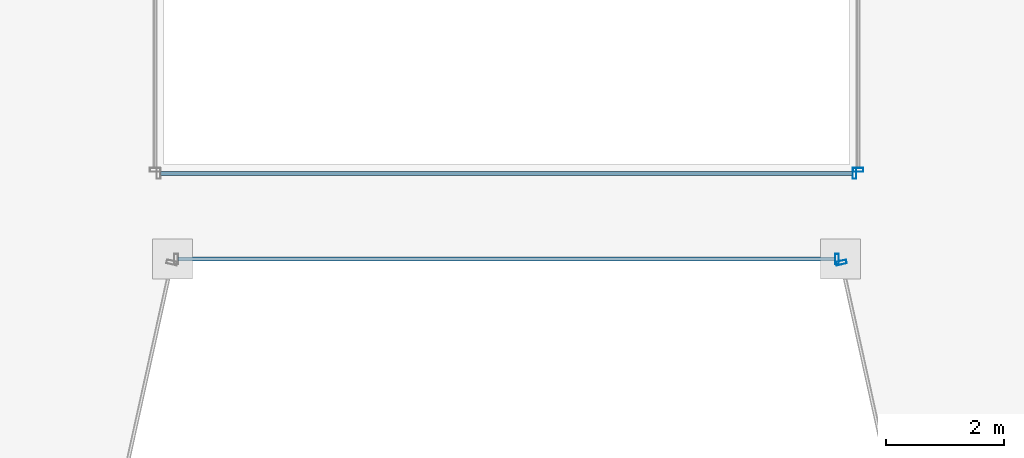
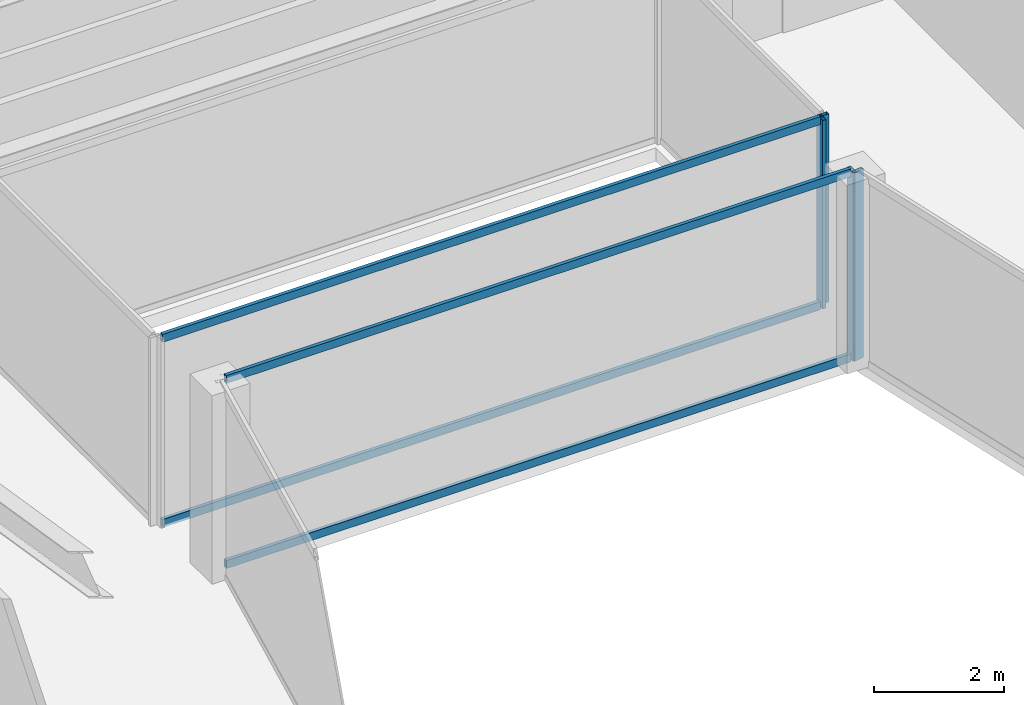
# One storey, part 6 of 32: 8 members, 4 elements without a shape of their own.
"""IFC4 building model written with IfcOpenShell, lengths in metres."""

from ifc_helpers import new_model, si_unit, direction, frame, origin, origin_2d, place, context, subcontext, project, spatial, hollow_rectangle, extrude, material, material_profile, profile_set, type_object, element, aggregate, save


model = new_model("IFC4")

# Units and contexts
model_context = context("Model", 3, precision=1e-05, world=origin(), true_north=direction((0.0, 1.0)))
body_context = subcontext(model_context, "Body", "Model", "MODEL_VIEW")
ifc_project = project(units=[si_unit("LENGTHUNIT", "METRE"), si_unit("AREAUNIT", "SQUARE_METRE"), si_unit("VOLUMEUNIT", "CUBIC_METRE"), si_unit("PLANEANGLEUNIT", "RADIAN"), si_unit("MASSUNIT", "GRAM", prefix="KILO")], contexts=[model_context])

# Site, building, storey
site_placement = place(None, origin())
site = spatial("IfcSite", under=ifc_project, at=site_placement, CompositionType="ELEMENT")
building_placement = place(site_placement, origin())
building = spatial("IfcBuilding", under=site, at=building_placement, Name="Saevonmaru Cultural Tower", CompositionType="ELEMENT")
storey_placement = place(building_placement, frame((0.0, 0.0, 245.800048828125)))
storey = spatial("IfcBuildingStorey", under=building, at=storey_placement, Name="L57", CompositionType="ELEMENT", Elevation=245.800048828125)

# Curtain wall, member
ifc_material = material(Name="Satin Bronze Anodised Aluminium", Category="aluminium")
curtain_wall_type_1 = type_object("IfcCurtainWallType", Name="CW-TYP-B", PredefinedType="NOTDEFINED", material=ifc_material)
curtain_wall_1_placement = place(storey_placement, origin())
curtain_wall_1 = element("IfcCurtainWall", 1, at=curtain_wall_1_placement, inside=storey, type_object=curtain_wall_type_1, Name="L57 Unitised Curtain Wall E4", PredefinedType="NOTDEFINED")
ifc_material_profile_1 = material_profile(ifc_material, hollow_rectangle(XDim=0.06494140625, YDim=0.179931640625, WallThickness=0.00390625, at=origin_2d()), Name="ALU-MULL-180x65x4")
ifc_profile_set_1 = profile_set([ifc_material_profile_1], Name="Satin Bronze Anodised Aluminium")
member_type_1 = type_object("IfcMemberType", Name="ML-CW-180x65", PredefinedType="MULLION", material=ifc_profile_set_1)
member_1_placement = place(storey_placement, frame((35.59326171875, 31.199951171875, 0.0), z_axis=(0.0, 0.0, 1.0), x_axis=(1.0, 0.0, 0.0)))
member_1 = element("IfcMember", 2, at=member_1_placement, type_object=member_type_1, Name="CW-TW-L57-E4 mullion 2", PredefinedType="MULLION", context=body_context, shape_type="SweptSolid", body=[
    extrude(hollow_rectangle(XDim=0.06494140625, YDim=0.179931640625, WallThickness=0.00390625, at=origin_2d()), origin(), (0.0, 0.0, 1.0), 3.550048828125),
])

curtain_wall_2_placement = place(storey_placement, origin())
curtain_wall_2 = element("IfcCurtainWall", 3, at=curtain_wall_2_placement, inside=storey, type_object=curtain_wall_type_1, Name="L57 Unitised Curtain Wall E5", PredefinedType="NOTDEFINED")
member_2_placement = place(storey_placement, frame((35.666259765625, 31.141357421875, 0.0), z_axis=(0.0, 0.0, 1.0), x_axis=(0.215413319953, -0.976522965212, 0.0)))
member_2 = element("IfcMember", 4, at=member_2_placement, type_object=member_type_1, Name="CW-TW-L57-E5 mullion 1", PredefinedType="MULLION", context=body_context, shape_type="SweptSolid", body=[
    extrude(hollow_rectangle(XDim=0.06494140625, YDim=0.179931640625, WallThickness=0.00390625, at=origin_2d()), origin(), (0.0, 0.0, 1.0), 3.550048828125),
])
aggregate(curtain_wall_2, [member_2])

curtain_wall_type_2 = type_object("IfcCurtainWallType", Name="CW-ATR-GLZ", PredefinedType="NOTDEFINED", material=ifc_material)
curtain_wall_3_placement = place(storey_placement, origin())
curtain_wall_3 = element("IfcCurtainWall", 5, at=curtain_wall_3_placement, inside=storey, type_object=curtain_wall_type_2, Name="L57 Vertical Atrium Glazed Smoke Screen 1", PredefinedType="NOTDEFINED")
ifc_material_profile_2 = material_profile(ifc_material, hollow_rectangle(XDim=0.06494140625, YDim=0.179931640625, WallThickness=0.00390625, at=origin_2d()), Name="ALU-MULL-180x65x4")
ifc_profile_set_2 = profile_set([ifc_material_profile_2], Name="Satin Bronze Anodised Aluminium")
member_type_2 = type_object("IfcMemberType", Name="ML-CW-INT-180x65", PredefinedType="MULLION", material=ifc_profile_set_2)
member_3_placement = place(storey_placement, frame((35.889892578125, 32.64990234375, 0.0), z_axis=(0.0, 0.0, 1.0), x_axis=(1.0, 0.0, 0.0)))
member_3 = element("IfcMember", 6, at=member_3_placement, type_object=member_type_2, Name="CW-ATR-L57-1 mullion 2", PredefinedType="MULLION", context=body_context, shape_type="SweptSolid", body=[
    extrude(hollow_rectangle(XDim=0.06494140625, YDim=0.179931640625, WallThickness=0.00390625, at=origin_2d()), origin(), (0.0, 0.0, 1.0), 3.550048828125),
])

curtain_wall_4_placement = place(storey_placement, origin())
curtain_wall_4 = element("IfcCurtainWall", 7, at=curtain_wall_4_placement, inside=storey, type_object=curtain_wall_type_2, Name="L57 Vertical Atrium Glazed Smoke Screen 2", PredefinedType="NOTDEFINED")
member_4_placement = place(storey_placement, frame((35.949951171875, 32.7099609375, 0.0), z_axis=(0.0, 0.0, 1.0), x_axis=(0.0, 1.0, 0.0)))
member_4 = element("IfcMember", 8, at=member_4_placement, type_object=member_type_2, Name="CW-ATR-L57-2 mullion 1", PredefinedType="MULLION", context=body_context, shape_type="SweptSolid", body=[
    extrude(hollow_rectangle(XDim=0.06494140625, YDim=0.179931640625, WallThickness=0.00390625, at=origin_2d()), origin(), (0.0, 0.0, 1.0), 3.550048828125),
])
aggregate(curtain_wall_4, [member_4])

# Member
ifc_material_profile_3 = material_profile(ifc_material, hollow_rectangle(XDim=0.06494140625, YDim=0.14990234375, WallThickness=0.00390625, at=origin_2d()), Name="ALU-TRAN-150x65x4")
ifc_profile_set_3 = profile_set([ifc_material_profile_3], Name="Satin Bronze Anodised Aluminium")
member_type_3 = type_object("IfcMemberType", Name="TR-CW-150x65", PredefinedType="USERDEFINED", material=ifc_profile_set_3)
member_5_placement = place(storey_placement, frame((24.439208984375, 31.199951171875, 0.032470703125), z_axis=(1.0, 0.0, 0.0), x_axis=(0.0, 1.0, 0.0)))
member_5 = element("IfcMember", 9, at=member_5_placement, type_object=member_type_3, Name="CW-TW-L57-E4 transom 1.1", ObjectType="TRANSOM", PredefinedType="USERDEFINED", context=body_context, shape_type="SweptSolid", body=[
    extrude(hollow_rectangle(XDim=0.06494140625, YDim=0.14990234375, WallThickness=0.00390625, at=origin_2d()), origin(), (0.0, 0.0, 1.0), 11.12158203125),
])

member_6_placement = place(storey_placement, frame((24.439208984375, 31.199951171875, 3.517333984375), z_axis=(1.0, 0.0, 0.0), x_axis=(0.0, 1.0, 0.0)))
member_6 = element("IfcMember", 10, at=member_6_placement, type_object=member_type_3, Name="CW-TW-L57-E4 transom 1.2", ObjectType="TRANSOM", PredefinedType="USERDEFINED", context=body_context, shape_type="SweptSolid", body=[
    extrude(hollow_rectangle(XDim=0.06494140625, YDim=0.14990234375, WallThickness=0.00390625, at=origin_2d()), origin(), (0.0, 0.0, 1.0), 11.12158203125),
])

aggregate(curtain_wall_1, [member_1, member_5, member_6])

ifc_material_profile_4 = material_profile(ifc_material, hollow_rectangle(XDim=0.06494140625, YDim=0.14990234375, WallThickness=0.00390625, at=origin_2d()), Name="ALU-TRAN-150x65x4")
ifc_profile_set_4 = profile_set([ifc_material_profile_4], Name="Satin Bronze Anodised Aluminium")
member_type_4 = type_object("IfcMemberType", Name="TR-CW-INT-150x65", PredefinedType="USERDEFINED", material=ifc_profile_set_4)
member_7_placement = place(storey_placement, frame((24.142578125, 32.64990234375, 0.032470703125), z_axis=(1.0, 0.0, 0.0), x_axis=(0.0, 1.0, 0.0)))
member_7 = element("IfcMember", 11, at=member_7_placement, type_object=member_type_4, Name="CW-ATR-L57-1 transom 1.1", ObjectType="TRANSOM", PredefinedType="USERDEFINED", context=body_context, shape_type="SweptSolid", body=[
    extrude(hollow_rectangle(XDim=0.06494140625, YDim=0.14990234375, WallThickness=0.00390625, at=origin_2d()), origin(), (0.0, 0.0, 1.0), 11.71484375),
])

member_8_placement = place(storey_placement, frame((24.142578125, 32.64990234375, 3.517333984375), z_axis=(1.0, 0.0, 0.0), x_axis=(0.0, 1.0, 0.0)))
member_8 = element("IfcMember", 12, at=member_8_placement, type_object=member_type_4, Name="CW-ATR-L57-1 transom 1.2", ObjectType="TRANSOM", PredefinedType="USERDEFINED", context=body_context, shape_type="SweptSolid", body=[
    extrude(hollow_rectangle(XDim=0.06494140625, YDim=0.14990234375, WallThickness=0.00390625, at=origin_2d()), origin(), (0.0, 0.0, 1.0), 11.71484375),
])

aggregate(curtain_wall_3, [member_3, member_7, member_8])

save(model, "model.ifc")
